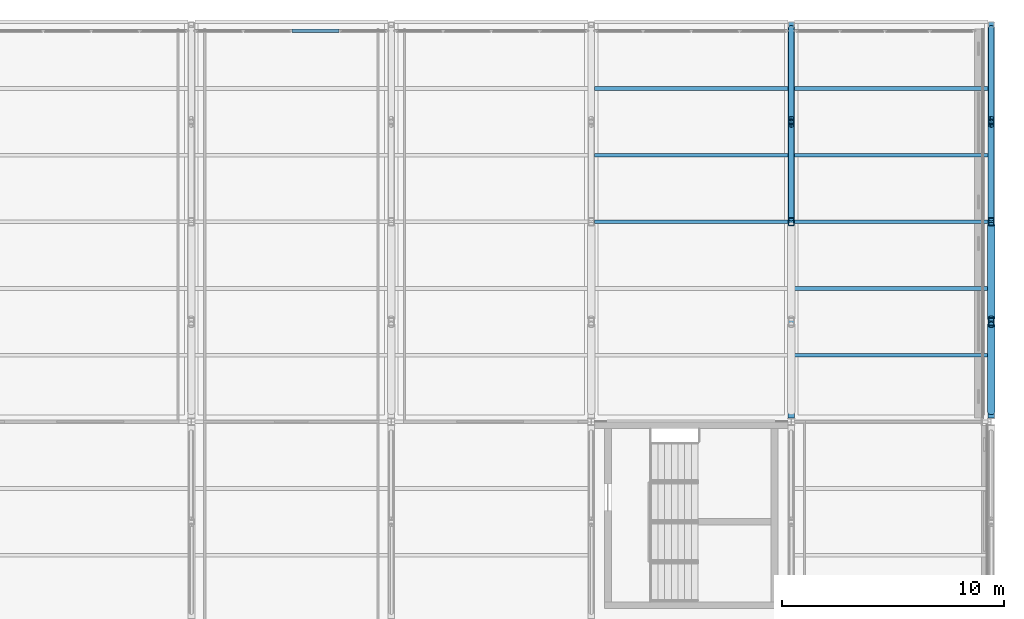
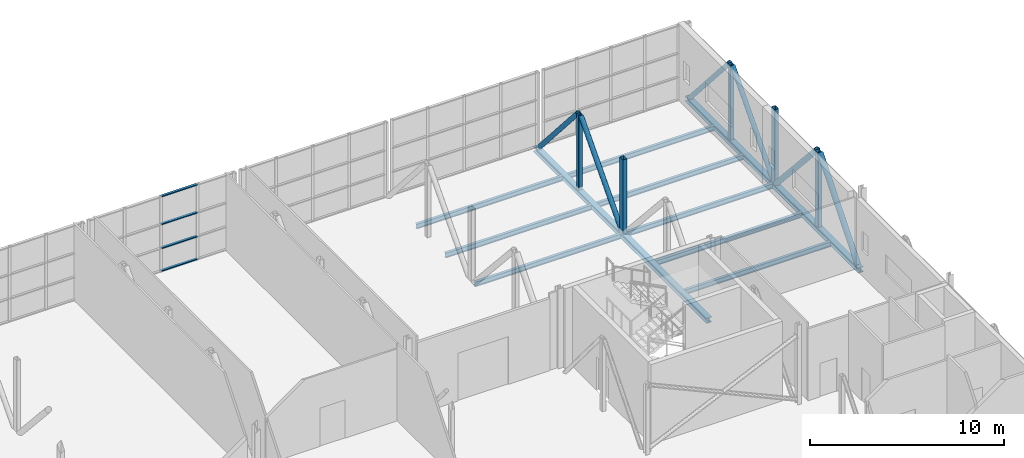
# One storey, part 67 of 94: 15 members, 10 beams, 1 element without a shape of its own.
"""IFC4 building model written with IfcOpenShell, lengths in metres."""

import ifcopenshell
import ifcopenshell.guid

model = None  # the IFC model being written
_history = None  # IfcOwnerHistory: only IFC2X3 demands one
_inside = {}  # id of a spatial element -> (the spatial element, [elements in it])
_under = {}  # id of a project, library or spatial element -> (it, [spatial elements below it])
_declared = {}  # id of a project -> (the project, [libraries it declares])
_typed = {}  # id of a type object -> (the type object, [elements of that type])
_made_of = {}  # id of a material, layer set ... -> (it, [elements and type objects made of it])


def new_model(schema):
    """Start an empty IFC model of exactly this schema.

    Asked for "IFC4X3", IfcOpenShell would pick the latest addendum, in which some entities
    have other attributes; the version numbers below select the first issue.
    IFC2X3 requires an IfcOwnerHistory on every rooted entity: one is made here for all.
    """
    global model, _history
    if schema == "IFC4X3":
        model = ifcopenshell.file(schema_version=(4, 3, 0, 0))
    else:
        model = ifcopenshell.file(schema=schema)
    _inside.clear()
    _under.clear()
    _declared.clear()
    _typed.clear()
    _made_of.clear()
    _history = None
    if model.schema == "IFC2X3":
        org = make("IfcOrganization", Name="unknown")
        user = make(
            "IfcPersonAndOrganization",
            ThePerson=make("IfcPerson", FamilyName="unknown"),
            TheOrganization=org,
        )
        app = make(
            "IfcApplication",
            ApplicationDeveloper=org,
            Version="unknown",
            ApplicationFullName="unknown",
            ApplicationIdentifier="unknown",
        )
        _history = make(
            "IfcOwnerHistory",
            OwningUser=user,
            OwningApplication=app,
            ChangeAction="ADDED",
            CreationDate=0,
        )
    return model


def make(cls, **values):
    """One entity of the class cls with the attributes given. An attribute that is None is left unset."""
    return model.create_entity(
        cls, **{name: value for name, value in values.items() if value is not None}
    )


def rooted(cls, **values):
    """An entity with a GlobalId (a new one), such as an element, a storey or a relation."""
    return make(cls, GlobalId=ifcopenshell.guid.new(), OwnerHistory=_history, **values)


def si_unit(unit_type, name, prefix=None):
    """IfcSIUnit, for example si_unit("LENGTHUNIT", "METRE", prefix="MILLI")."""
    return make("IfcSIUnit", UnitType=unit_type, Prefix=prefix, Name=name)


def assignment(units):
    """IfcUnitAssignment: the units of a project."""
    return None if units is None else make("IfcUnitAssignment", Units=units)


def point(xyz):
    """IfcCartesianPoint."""
    return None if xyz is None else make("IfcCartesianPoint", Coordinates=xyz)


def direction(xyz):
    """IfcDirection."""
    return None if xyz is None else make("IfcDirection", DirectionRatios=xyz)


def frame(location, z_axis=None, x_axis=None):
    """IfcAxis2Placement3D, a coordinate frame: its origin and axes. An axis left out is left unset."""
    return make(
        "IfcAxis2Placement3D",
        Location=point(location),
        Axis=direction(z_axis),
        RefDirection=direction(x_axis),
    )


def frame_2d(location, x_axis=None):
    """IfcAxis2Placement2D, a coordinate frame in the plane: its origin and x axis."""
    return make(
        "IfcAxis2Placement2D", Location=point(location), RefDirection=direction(x_axis)
    )


def origin():
    """The frame at (0, 0, 0) with its axes left unset."""
    return frame((0.0, 0.0, 0.0))


def origin_2d():
    """The frame at (0, 0) in the plane with its x axis left unset."""
    return frame_2d((0.0, 0.0))


def place(relative_to, where):
    """IfcLocalPlacement: puts the frame where relative to a parent placement (None: the world)."""
    return make(
        "IfcLocalPlacement", PlacementRelTo=relative_to, RelativePlacement=where
    )


def context(
    kind, dimensions, precision=None, world=None, true_north=None, identifier=None
):
    """IfcGeometricRepresentationContext, for example the 3D "Model" context."""
    return make(
        "IfcGeometricRepresentationContext",
        ContextIdentifier=identifier,
        ContextType=kind,
        CoordinateSpaceDimension=dimensions,
        Precision=precision,
        WorldCoordinateSystem=world,
        TrueNorth=true_north,
    )


def subcontext(parent, identifier, kind, view, scale=None):
    """IfcGeometricRepresentationSubContext, for example "Body" below "Model"."""
    return make(
        "IfcGeometricRepresentationSubContext",
        ContextIdentifier=identifier,
        ContextType=kind,
        ParentContext=parent,
        TargetScale=scale,
        TargetView=view,
    )


def project(units=None, contexts=None):
    """IfcProject with its units and contexts."""
    return rooted(
        "IfcProject",
        Name="project",
        RepresentationContexts=contexts,
        UnitsInContext=assignment(units),
    )


def spatial(cls, under=None, at=None, **own):
    """A site, building, storey or space (cls), placed at a placement, below another one or the project."""
    s = rooted(cls, ObjectPlacement=at, **own)
    if under is not None:
        _under.setdefault(under.id(), (under, []))[1].append(s)
    return s


def profile(cls, at=None, kind="AREA", **sizes):
    """A parametric profile (cls). Its sizes go by their IFC names, for example OverallWidth=200.0."""
    return make(cls, ProfileType=kind, Position=at, **sizes)


def hollow_rectangle(**sizes):
    """IfcRectangleHollowProfileDef."""
    return profile("IfcRectangleHollowProfileDef", **sizes)


def hollow_circle(**sizes):
    """IfcCircleHollowProfileDef."""
    return profile("IfcCircleHollowProfileDef", **sizes)


def i_section(**sizes):
    """IfcIShapeProfileDef."""
    return profile("IfcIShapeProfileDef", **sizes)


def extrude(swept, where, along, depth):
    """IfcExtrudedAreaSolid: the profile swept, set in the frame where, extruded along a direction by depth."""
    return make(
        "IfcExtrudedAreaSolid",
        SweptArea=swept,
        Position=where,
        ExtrudedDirection=direction(along),
        Depth=depth,
    )


def shape(context_of_items, identifier, shape_type, items):
    """IfcShapeRepresentation: the items that make up one representation, for example the "Body"."""
    return make(
        "IfcShapeRepresentation",
        ContextOfItems=context_of_items,
        RepresentationIdentifier=identifier,
        RepresentationType=shape_type,
        Items=items,
    )


def material(Name=None, Category=None):
    """IfcMaterial."""
    return make("IfcMaterial", Name=Name, Category=Category)


def layer(
    of_material, thickness, ventilated=None, Name=None, Category=None, Priority=None
):
    """IfcMaterialLayer: one layer of a wall or slab, of a material (None: an air gap)."""
    return make(
        "IfcMaterialLayer",
        Material=of_material,
        LayerThickness=thickness,
        IsVentilated=ventilated,
        Name=Name,
        Category=Category,
        Priority=Priority,
    )


def layer_set(layers, Name=None):
    """IfcMaterialLayerSet."""
    return make("IfcMaterialLayerSet", MaterialLayers=layers, LayerSetName=Name)


def material_profile(
    of_material, cross_section, Name=None, Category=None, Priority=None
):
    """IfcMaterialProfile: a cross section and its material."""
    return make(
        "IfcMaterialProfile",
        Name=Name,
        Material=of_material,
        Profile=cross_section,
        Priority=Priority,
        Category=Category,
    )


def profile_set(profiles, Name=None, composite=None):
    """IfcMaterialProfileSet."""
    return make(
        "IfcMaterialProfileSet",
        Name=Name,
        MaterialProfiles=profiles,
        CompositeProfile=composite,
    )


def made_of(thing, what):
    """Note that an element or type object is made of a material, layer set ...; save() writes the relation."""
    if what is not None:
        _made_of.setdefault(what.id(), (what, []))[1].append(thing)
    return thing


def type_object(cls, material=None, **own):
    """A type object (cls), such as IfcWallType, which elements share."""
    return made_of(rooted(cls, **own), material)


def element(
    cls,
    number,
    at=None,
    inside=None,
    cuts=None,
    type_object=None,
    material=None,
    context=None,
    identifier="Body",
    shape_type=None,
    held_by="IfcProductDefinitionShape",
    body=None,
    shapes=None,
    **own,
):
    """One element of the class cls, such as IfcWall. Its Tag is "e" and its number.

    at: its placement. inside: the storey or other place that contains it. cuts: it is an
    opening in that element (IfcRelVoidsElement). A single representation is given by context,
    identifier, shape_type and body (its items); several are given by shapes. held_by: the class
    of the entity that holds the representations. save() writes the other relations.
    """
    e = rooted(cls, Tag="e%d" % number, ObjectPlacement=at, **own)
    if body is not None:
        shapes = [shape(context, identifier, shape_type, body)]
    if shapes is not None:
        e.Representation = make(held_by, Representations=shapes)
    if inside is not None:
        _inside.setdefault(inside.id(), (inside, []))[1].append(e)
    if cuts is not None:
        rooted(
            "IfcRelVoidsElement", RelatingBuildingElement=cuts, RelatedOpeningElement=e
        )
    if type_object is not None:
        _typed.setdefault(type_object.id(), (type_object, []))[1].append(e)
    return made_of(e, material)


def aggregate(whole, parts):
    """IfcRelAggregates: a whole, such as a stair, and the parts it consists of."""
    return rooted("IfcRelAggregates", RelatingObject=whole, RelatedObjects=parts)


def save(model, path):
    """Write the relations noted so far, then the file.

    IfcRelAggregates (storeys below a building ...), IfcRelContainedInSpatialStructure (elements
    in a storey), IfcRelDefinesByType, IfcRelAssociatesMaterial and IfcRelDeclares: one each for
    every whole, place, type object, material and project.
    """
    for whole, parts in _under.values():
        aggregate(whole, parts)
    for where, things in _inside.values():
        rooted(
            "IfcRelContainedInSpatialStructure",
            RelatedElements=things,
            RelatingStructure=where,
        )
    for kind, things in _typed.values():
        rooted("IfcRelDefinesByType", RelatedObjects=things, RelatingType=kind)
    for what, things in _made_of.values():
        rooted("IfcRelAssociatesMaterial", RelatedObjects=things, RelatingMaterial=what)
    for by, libraries in _declared.values():
        rooted("IfcRelDeclares", RelatingContext=by, RelatedDefinitions=libraries)
    model.write(path)


model = new_model("IFC4")

# Units and contexts
model_context = context("Model", 3, precision=1e-05, world=origin(), true_north=direction((0.0, 1.0)))
body_context = subcontext(model_context, "Body", "Model", "MODEL_VIEW")
ifc_project = project(units=[si_unit("LENGTHUNIT", "METRE"), si_unit("AREAUNIT", "SQUARE_METRE"), si_unit("VOLUMEUNIT", "CUBIC_METRE"), si_unit("PLANEANGLEUNIT", "RADIAN"), si_unit("MASSUNIT", "GRAM", prefix="KILO")], contexts=[model_context])

# Site, building, storey
site_placement = place(None, origin())
site = spatial("IfcSite", under=ifc_project, at=site_placement, CompositionType="ELEMENT")
building_placement = place(site_placement, origin())
building = spatial("IfcBuilding", under=site, at=building_placement, Name="Shorebreak Coast Museum", CompositionType="ELEMENT")
storey_placement = place(building_placement, frame((0.0, 0.0, 31.0)))
storey = spatial("IfcBuildingStorey", under=building, at=storey_placement, Name="L05", CompositionType="ELEMENT", Elevation=31.0)

# Curtain wall, members
ifc_material_1 = material(Name="Aluminium", Category="aluminium")
ifc_layer = layer(ifc_material_1, 0.14990234375)
ifc_layer_set = layer_set([ifc_layer], Name="Aluminium")
curtain_wall_type = type_object("IfcCurtainWallType", Name="Barrel end glazing", PredefinedType="NOTDEFINED", material=ifc_layer_set)
curtain_wall_placement = place(storey_placement, origin())
curtain_wall = element("IfcCurtainWall", 1, at=curtain_wall_placement, inside=storey, type_object=curtain_wall_type, Name="Barrel end glazing L05 4", PredefinedType="NOTDEFINED")
ifc_material_2 = material(Name="Aluminium", Category="aluminium")
ifc_material_profile_1 = material_profile(ifc_material_2, hollow_rectangle(XDim=0.14990234375, YDim=0.06005859375, WallThickness=0.00390625, at=origin_2d()), Name="AL 60x150 RHS")
ifc_profile_set_1 = profile_set([ifc_material_profile_1], Name="Aluminium")
member_type_1 = type_object("IfcMemberType", Name="Barrel transom 150 x 60", PredefinedType="USERDEFINED", material=ifc_profile_set_1)
member_1_placement = place(storey_placement, frame((85.530029296875, 134.60009765625, 0.074951171875), z_axis=(1.0, 0.0, 0.0), x_axis=(0.0, 1.0, 0.0)))
member_1 = element("IfcMember", 2, at=member_1_placement, type_object=member_type_1, Name="CW7 transom 3.1", ObjectType="TRANSOM", PredefinedType="USERDEFINED", context=body_context, shape_type="SweptSolid", body=[
    extrude(hollow_rectangle(XDim=0.14990234375, YDim=0.06005859375, WallThickness=0.00390625, at=origin_2d()), origin(), (0.0, 0.0, 1.0), 2.10888671875),
])
member_2_placement = place(storey_placement, frame((85.530029296875, 134.60009765625, 1.5), z_axis=(1.0, 0.0, 0.0), x_axis=(0.0, 1.0, 0.0)))
member_2 = element("IfcMember", 3, at=member_2_placement, type_object=member_type_1, Name="CW7 transom 3.2", ObjectType="TRANSOM", PredefinedType="USERDEFINED", context=body_context, shape_type="SweptSolid", body=[
    extrude(hollow_rectangle(XDim=0.14990234375, YDim=0.06005859375, WallThickness=0.00390625, at=origin_2d()), origin(), (0.0, 0.0, 1.0), 2.10888671875),
])
member_3_placement = place(storey_placement, frame((85.530029296875, 134.60009765625, 3.0), z_axis=(1.0, 0.0, 0.0), x_axis=(0.0, 1.0, 0.0)))
member_3 = element("IfcMember", 4, at=member_3_placement, type_object=member_type_1, Name="CW7 transom 3.3", ObjectType="TRANSOM", PredefinedType="USERDEFINED", context=body_context, shape_type="SweptSolid", body=[
    extrude(hollow_rectangle(XDim=0.14990234375, YDim=0.06005859375, WallThickness=0.00390625, at=origin_2d()), origin(), (0.0, 0.0, 1.0), 2.10888671875),
])
member_4_placement = place(storey_placement, frame((85.530029296875, 134.60009765625, 4.75), z_axis=(1.0, 0.0, 0.0), x_axis=(0.0, 1.0, 0.0)))
member_4 = element("IfcMember", 5, at=member_4_placement, type_object=member_type_1, Name="CW7 transom 3.4", ObjectType="TRANSOM", PredefinedType="USERDEFINED", context=body_context, shape_type="SweptSolid", body=[
    extrude(hollow_rectangle(XDim=0.14990234375, YDim=0.06005859375, WallThickness=0.00390625, at=origin_2d()), origin(), (0.0, 0.0, 1.0), 2.10888671875),
])
aggregate(curtain_wall, [member_1, member_2, member_3, member_4])

# Beams
ifc_material_3 = material(Name="Steel Grade 300", Category="steel")
ifc_material_profile_2 = material_profile(ifc_material_3, i_section(OverallWidth=0.166015625, OverallDepth=0.30712890625, WebThickness=0.006591796875, FlangeThickness=0.01171875, FilletRadius=0.011474609375, at=origin_2d()), Name="310UB46.2")
ifc_profile_set_2 = profile_set([ifc_material_profile_2], Name="Steel Grade 300")
beam_type_1 = type_object("IfcBeamType", Name="Floor girder east-west 310UB46.2", PredefinedType="BEAM", material=ifc_profile_set_2)
for number, where, z_axis, x_axis, name in (
    (6, (99.155517578125, 126.0, -0.32861328125), (1.0, 0.0, 0.0), (0.0, 1.0, 0.0), "Floor girder east-west L05 12R"),
    (7, (108.155517578125, 126.0, -0.32861328125), (1.0, 0.0, 0.0), (0.0, 1.0, 0.0), "Floor girder east-west L05 13R"),
):
    element("IfcBeam", number, at=place(storey_placement, frame(where, z_axis=z_axis, x_axis=x_axis)), inside=storey, type_object=beam_type_1, Name=name, PredefinedType="BEAM", context=body_context, shape_type="SweptSolid", body=[
        extrude(i_section(OverallWidth=0.166015625, OverallDepth=0.30712890625, WebThickness=0.006591796875, FlangeThickness=0.01171875, FilletRadius=0.011474609375, at=origin_2d()), origin(), (0.0, 0.0, 1.0), 8.68896484375),
    ])
ifc_material_4 = material(Name="Steel Grade 300", Category="steel")
ifc_material_profile_3 = material_profile(ifc_material_4, i_section(OverallWidth=0.166015625, OverallDepth=0.30712890625, WebThickness=0.006591796875, FlangeThickness=0.01171875, FilletRadius=0.011474609375, at=origin_2d()), Name="310UB46.2")
ifc_profile_set_3 = profile_set([ifc_material_profile_3], Name="Steel Grade 300")
beam_type_2 = type_object("IfcBeamType", Name="Floor joist 310UB46.2", PredefinedType="JOIST", material=ifc_profile_set_3)
for number, where, z_axis, x_axis, name in (
    (8, (108.155517578125, 120.0, -0.32861328125), (1.0, 0.0, 0.0), (0.0, 1.0, 0.0), "Floor joist L05 bay 13P at 3000 mm"),
    (9, (108.155517578125, 123.0, -0.32861328125), (1.0, 0.0, 0.0), (0.0, 1.0, 0.0), "Floor joist L05 bay 13P at 6000 mm"),
    (10, (99.155517578125, 129.0, -0.32861328125), (1.0, 0.0, 0.0), (0.0, 1.0, 0.0), "Floor joist L05 bay 12R at 3000 mm"),
    (11, (99.155517578125, 132.0, -0.32861328125), (1.0, 0.0, 0.0), (0.0, 1.0, 0.0), "Floor joist L05 bay 12R at 6000 mm"),
    (12, (108.155517578125, 129.0, -0.32861328125), (1.0, 0.0, 0.0), (0.0, 1.0, 0.0), "Floor joist L05 bay 13R at 3000 mm"),
    (13, (108.155517578125, 132.0, -0.32861328125), (1.0, 0.0, 0.0), (0.0, 1.0, 0.0), "Floor joist L05 bay 13R at 6000 mm"),
):
    element("IfcBeam", number, at=place(storey_placement, frame(where, z_axis=z_axis, x_axis=x_axis)), inside=storey, type_object=beam_type_2, Name=name, PredefinedType="JOIST", context=body_context, shape_type="SweptSolid", body=[
        extrude(i_section(OverallWidth=0.166015625, OverallDepth=0.30712890625, WebThickness=0.006591796875, FlangeThickness=0.01171875, FilletRadius=0.011474609375, at=origin_2d()), origin(), (0.0, 0.0, 1.0), 8.68896484375),
    ])
ifc_material_5 = material(Name="Steel Grade 300", Category="steel")
ifc_material_profile_4 = material_profile(ifc_material_5, i_section(OverallWidth=0.31103515625, OverallDepth=0.3271484375, WebThickness=0.015625, FlangeThickness=0.02490234375, FilletRadius=0.0166015625, at=origin_2d()), Name="310UC158")
ifc_profile_set_4 = profile_set([ifc_material_profile_4], Name="Steel Grade 300")
beam_type_3 = type_object("IfcBeamType", Name="Transfer truss chord 310UC158", PredefinedType="BEAM", material=ifc_profile_set_4)
for number, where, z_axis, x_axis, name in (
    (14, (108.0, 117.16357421875, -0.338623046875), (0.0, 1.0, 0.0), (-1.0, 0.0, 0.0), "Transfer truss TR7 chord C04"),
    (15, (117.0, 117.16357421875, -0.338623046875), (0.0, 1.0, 0.0), (-1.0, 0.0, 0.0), "Transfer truss TR8 chord C04"),
):
    element("IfcBeam", number, at=place(storey_placement, frame(where, z_axis=z_axis, x_axis=x_axis)), inside=storey, type_object=beam_type_3, Name=name, PredefinedType="BEAM", context=body_context, shape_type="SweptSolid", body=[
        extrude(i_section(OverallWidth=0.31103515625, OverallDepth=0.3271484375, WebThickness=0.015625, FlangeThickness=0.02490234375, FilletRadius=0.0166015625, at=origin_2d()), origin(), (0.0, 0.0, 1.0), 17.83642578125),
    ])

# Members
ifc_material_6 = material(Name="Steel Grade C350L0", Category="steel")
ifc_material_profile_5 = material_profile(ifc_material_6, hollow_circle(Radius=0.136474609375, WallThickness=0.00927734375, at=origin_2d()), Name="273.1x9.3 CHS")
ifc_profile_set_5 = profile_set([ifc_material_profile_5], Name="Steel Grade C350L0")
member_type_2 = type_object("IfcMemberType", Name="Transfer truss diagonal 273.1x9.3 CHS", PredefinedType="BRACE", material=ifc_profile_set_5)
member_5_placement = place(storey_placement, frame((108.0, 126.147216796875, -0.175048828125), z_axis=(0.0, 0.668701073602, 0.743531353854), x_axis=(-1.0, 0.0, 0.0)))
element("IfcMember", 16, at=member_5_placement, inside=storey, type_object=member_type_2, Name="Transfer truss TR7 diagonal D08", PredefinedType="BRACE", context=body_context, shape_type="SweptSolid", body=[
    extrude(hollow_circle(Radius=0.136474609375, WallThickness=0.00927734375, at=origin_2d()), origin(), (0.0, 0.0, 1.0), 6.29345703125),
])
member_6_placement = place(storey_placement, frame((108.0, 134.73193359375, -0.175048828125), z_axis=(0.0, -0.658257101964, 0.752793190534), x_axis=(1.0, 0.0, 0.0)))
element("IfcMember", 17, at=member_6_placement, inside=storey, type_object=member_type_2, Name="Transfer truss TR7 diagonal D09", PredefinedType="BRACE", context=body_context, shape_type="SweptSolid", body=[
    extrude(hollow_circle(Radius=0.136474609375, WallThickness=0.00927734375, at=origin_2d()), origin(), (0.0, 0.0, 1.0), 6.216064453125),
])
member_7_placement = place(storey_placement, frame((117.0, 126.147216796875, -0.175048828125), z_axis=(0.0, 0.668701073602, 0.743531353854), x_axis=(-1.0, 0.0, 0.0)))
element("IfcMember", 18, at=member_7_placement, inside=storey, type_object=member_type_2, Name="Transfer truss TR8 diagonal D08", PredefinedType="BRACE", context=body_context, shape_type="SweptSolid", body=[
    extrude(hollow_circle(Radius=0.136474609375, WallThickness=0.00927734375, at=origin_2d()), origin(), (0.0, 0.0, 1.0), 6.29345703125),
])
member_8_placement = place(storey_placement, frame((117.0, 134.73193359375, -0.175048828125), z_axis=(0.0, -0.658257101964, 0.752793190534), x_axis=(1.0, 0.0, 0.0)))
element("IfcMember", 19, at=member_8_placement, inside=storey, type_object=member_type_2, Name="Transfer truss TR8 diagonal D09", PredefinedType="BRACE", context=body_context, shape_type="SweptSolid", body=[
    extrude(hollow_circle(Radius=0.136474609375, WallThickness=0.00927734375, at=origin_2d()), origin(), (0.0, 0.0, 1.0), 6.216064453125),
])
ifc_material_7 = material(Name="Steel Grade C350L0", Category="steel")
ifc_material_profile_6 = material_profile(ifc_material_7, hollow_circle(Radius=0.161865234375, WallThickness=0.009521484375, at=origin_2d()), Name="323.9x9.5 CHS")
ifc_profile_set_6 = profile_set([ifc_material_profile_6], Name="Steel Grade C350L0")
member_type_3 = type_object("IfcMemberType", Name="Transfer truss diagonal 323.9x9.5 CHS", PredefinedType="BRACE", material=ifc_profile_set_6)
member_9_placement = place(storey_placement, frame((117.0, 117.450439453125, -0.175048828125), z_axis=(0.0, 0.641729837353, 0.76693077644), x_axis=(-1.0, 0.0, 0.0)))
element("IfcMember", 20, at=member_9_placement, inside=storey, type_object=member_type_3, Name="Transfer truss TR8 diagonal D06", PredefinedType="BRACE", context=body_context, shape_type="SweptSolid", body=[
    extrude(hollow_circle(Radius=0.161865234375, WallThickness=0.009521484375, at=origin_2d()), origin(), (0.0, 0.0, 1.0), 6.1015625),
])
member_10_placement = place(storey_placement, frame((117.0, 125.852783203125, -0.175048828125), z_axis=(0.0, -0.668701073602, 0.743531353854), x_axis=(1.0, 0.0, 0.0)))
element("IfcMember", 21, at=member_10_placement, inside=storey, type_object=member_type_3, Name="Transfer truss TR8 diagonal D07", PredefinedType="BRACE", context=body_context, shape_type="SweptSolid", body=[
    extrude(hollow_circle(Radius=0.161865234375, WallThickness=0.009521484375, at=origin_2d()), origin(), (0.0, 0.0, 1.0), 6.29345703125),
])
ifc_material_8 = material(Name="Steel Grade C450L0", Category="steel")
ifc_material_profile_7 = material_profile(ifc_material_8, hollow_rectangle(XDim=0.25, YDim=0.25, WallThickness=0.012451171875, InnerFilletRadius=0.018798828125, OuterFilletRadius=0.03125, at=origin_2d()), Name="250x250x12.5 SHS")
ifc_profile_set_7 = profile_set([ifc_material_profile_7], Name="Steel Grade C450L0")
member_type_4 = type_object("IfcMemberType", Name="Transfer truss strut 250x250x12.5 SHS", PredefinedType="STRUT", material=ifc_profile_set_7)
for number, where, z_axis, x_axis, name in (
    (22, (108.0, 130.5, -0.175048828125), (0.0, 0.0, 1.0), (1.0, 0.0, 0.0), "Transfer truss TR7 strut V06"),
    (23, (117.0, 130.5, -0.175048828125), (0.0, 0.0, 1.0), (1.0, 0.0, 0.0), "Transfer truss TR8 strut V06"),
):
    element("IfcMember", number, at=place(storey_placement, frame(where, z_axis=z_axis, x_axis=x_axis)), inside=storey, type_object=member_type_4, Name=name, PredefinedType="STRUT", context=body_context, shape_type="SweptSolid", body=[
        extrude(hollow_rectangle(XDim=0.25, YDim=0.25, WallThickness=0.012451171875, InnerFilletRadius=0.018798828125, OuterFilletRadius=0.03125, at=origin_2d()), origin(), (0.0, 0.0, 1.0), 4.679443359375),
    ])
ifc_material_9 = material(Name="Steel Grade C450L0", Category="steel")
ifc_material_profile_8 = material_profile(ifc_material_9, hollow_rectangle(XDim=0.25, YDim=0.35009765625, WallThickness=0.012451171875, InnerFilletRadius=0.018798828125, OuterFilletRadius=0.03125, at=origin_2d()), Name="350x250x12.5 RHS")
ifc_profile_set_8 = profile_set([ifc_material_profile_8], Name="Steel Grade C450L0")
member_type_5 = type_object("IfcMemberType", Name="Transfer truss strut 350x250x12.5 RHS", PredefinedType="STRUT", material=ifc_profile_set_8)
for number, where, z_axis, x_axis, name in (
    (24, (108.0, 126.0, -0.175048828125), (0.0, 0.0, 1.0), (1.0, 0.0, 0.0), "Transfer truss TR7 strut V05"),
    (25, (117.0, 121.5, -0.175048828125), (0.0, 0.0, 1.0), (1.0, 0.0, 0.0), "Transfer truss TR8 strut V04"),
    (26, (117.0, 126.0, -0.175048828125), (0.0, 0.0, 1.0), (1.0, 0.0, 0.0), "Transfer truss TR8 strut V05"),
):
    element("IfcMember", number, at=place(storey_placement, frame(where, z_axis=z_axis, x_axis=x_axis)), inside=storey, type_object=member_type_5, Name=name, PredefinedType="STRUT", context=body_context, shape_type="SweptSolid", body=[
        extrude(hollow_rectangle(XDim=0.25, YDim=0.35009765625, WallThickness=0.012451171875, InnerFilletRadius=0.018798828125, OuterFilletRadius=0.03125, at=origin_2d()), origin(), (0.0, 0.0, 1.0), 4.679443359375),
    ])

save(model, "model.ifc")
